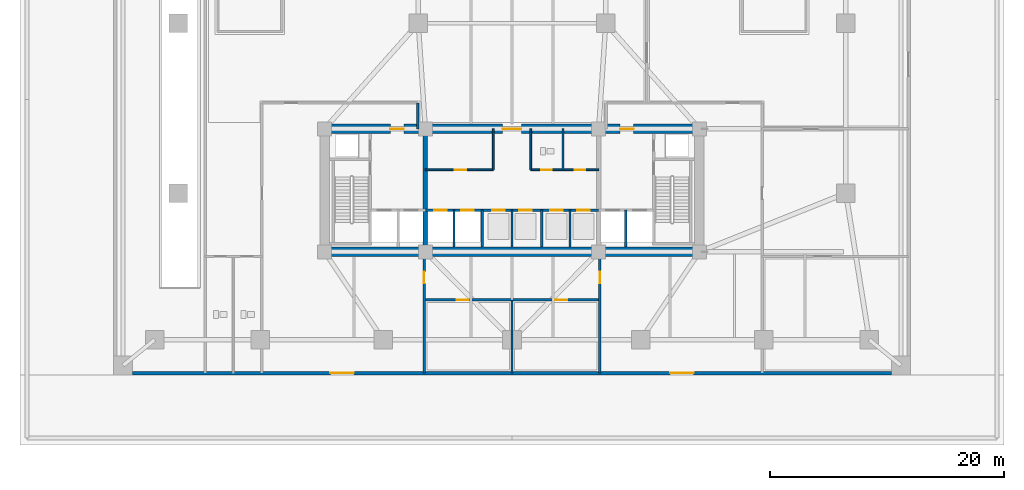
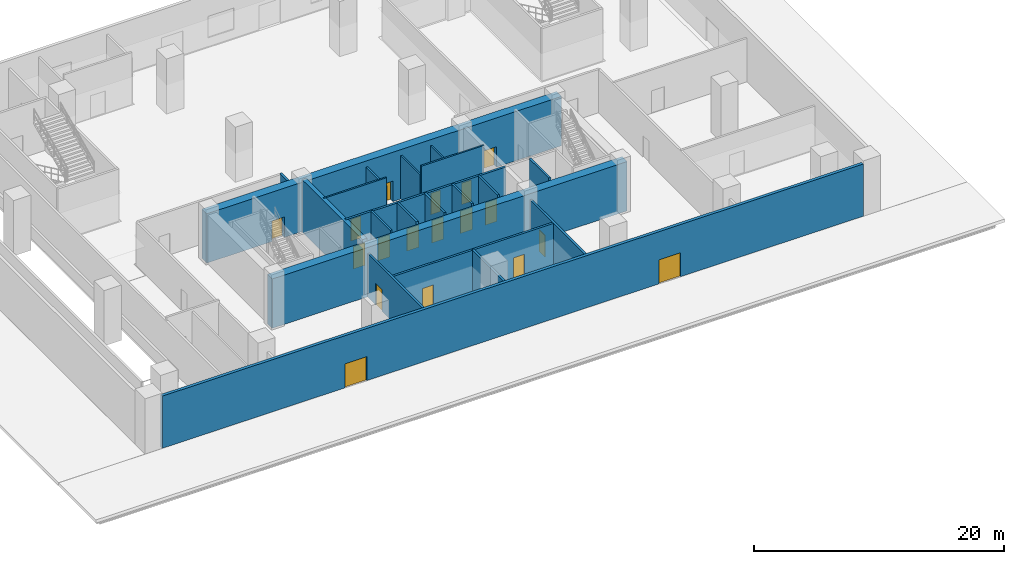
# One storey, part 5 of 15: 23 walls, 18 doors, 18 openings.
"""IFC4 building model written with IfcOpenShell, lengths in metres."""

from ifc_helpers import new_model, si_unit, direction, frame, frame_2d, origin, place, context, subcontext, project, spatial, rectangle, extrude, material, layer, layer_set, type_object, element, fill, save


model = new_model("IFC4")

# Units and contexts
model_context = context("Model", 3, precision=1e-05, world=origin(), true_north=direction((0.0, 1.0)))
body_context = subcontext(model_context, "Body", "Model", "MODEL_VIEW")
ifc_project = project(units=[si_unit("LENGTHUNIT", "METRE"), si_unit("AREAUNIT", "SQUARE_METRE"), si_unit("VOLUMEUNIT", "CUBIC_METRE"), si_unit("PLANEANGLEUNIT", "RADIAN"), si_unit("MASSUNIT", "GRAM", prefix="KILO")], contexts=[model_context])

# Site, building, storey
site_placement = place(None, origin())
site = spatial("IfcSite", under=ifc_project, at=site_placement, CompositionType="ELEMENT")
building_placement = place(site_placement, origin())
building = spatial("IfcBuilding", under=site, at=building_placement, Name="Solmavex Isthmus Hotel", CompositionType="ELEMENT")
storey_placement = place(building_placement, origin())
storey = spatial("IfcBuildingStorey", under=building, at=storey_placement, Name="L01", CompositionType="ELEMENT", Elevation=0.0)

# Wall, openings, doors
ifc_material_1 = material(Name="Precast Concrete C40/50", Category="concrete")
ifc_layer_1 = layer(ifc_material_1, 0.280029296875)
ifc_layer_set_1 = layer_set([ifc_layer_1], Name="Precast Concrete C40/50")
wall_type_1 = type_object("IfcWallType", Name="EW-POD-280", PredefinedType="STANDARD", material=ifc_layer_set_1)
wall_1_placement = place(storey_placement, frame((-32.39990234375, -23.360107421875, 0.0), z_axis=(0.0, 0.0, 1.0), x_axis=(1.0, 0.0, 0.0)))
wall_1 = element("IfcWall", 1, at=wall_1_placement, inside=storey, type_object=wall_type_1, Name="Podium Ground South Exterior Wall", PredefinedType="STANDARD", context=body_context, shape_type="SweptSolid", body=[
    extrude(rectangle(XDim=64.7998046875, YDim=0.280029296875, at=frame_2d((32.39990234375, 0.0))), origin(), (0.0, 0.0, 1.0), 5.10009765625),
])
opening_1_placement = place(wall_1_placement, frame((16.89990234375, 0.0, 0.0)))
opening_1 = element("IfcOpeningElement", 2, at=opening_1_placement, cuts=wall_1, Name="Opening ED-01", PredefinedType="OPENING", context=body_context, shape_type="SweptSolid", body=[
    extrude(rectangle(XDim=2.0, YDim=2.35009765625, at=frame_2d((1.0, 1.175048828125))), frame((0.0, 0.14990234375, 0.0), z_axis=(0.0, -1.0, 0.0), x_axis=(1.0, 0.0, 0.0)), (0.0, 0.0, 1.0), 0.300048828125),
])
opening_2_placement = place(wall_1_placement, frame((45.89990234375, 0.0, 0.0)))
opening_2 = element("IfcOpeningElement", 3, at=opening_2_placement, cuts=wall_1, Name="Opening ED-01", PredefinedType="OPENING", context=body_context, shape_type="SweptSolid", body=[
    extrude(rectangle(XDim=2.0, YDim=2.35009765625, at=frame_2d((1.0, 1.175048828125))), frame((0.0, 0.14990234375, 0.0), z_axis=(0.0, -1.0, 0.0), x_axis=(1.0, 0.0, 0.0)), (0.0, 0.0, 1.0), 0.300048828125),
])
ifc_material_2 = material(Name="Aluminium alloy 6063-T6", Category="aluminium")
door_type_1 = type_object("IfcDoorType", Name="EDR-EXIT-2000", OperationType="NOTDEFINED", PredefinedType="DOOR", material=ifc_material_2)
door_1_placement = place(opening_1_placement, frame((2.0, 0.0, 0.0), z_axis=(0.0, 0.0, 1.0), x_axis=(-1.0, 0.0, 0.0)))
door_1 = element("IfcDoor", 4, at=door_1_placement, inside=storey, type_object=door_type_1, Name="Ground Protected Exit Passage Exterior Door S1", OperationType="DOUBLE_DOOR_SINGLE_SWING", OverallHeight=2.35009765625, OverallWidth=2.0, PredefinedType="DOOR", context=body_context, shape_type="SweptSolid", body=[
    extrude(rectangle(XDim=2.0, YDim=2.35009765625, at=frame_2d((1.0, 1.175048828125))), frame((0.0, 0.02490234375, 0.0), z_axis=(0.0, -1.0, 0.0), x_axis=(1.0, 0.0, 0.0)), (0.0, 0.0, 1.0), 0.050048828125),
])
fill(opening_1, door_1)
door_2_placement = place(opening_2_placement, frame((2.0, 0.0, 0.0), z_axis=(0.0, 0.0, 1.0), x_axis=(-1.0, 0.0, 0.0)))
door_2 = element("IfcDoor", 5, at=door_2_placement, inside=storey, type_object=door_type_1, Name="Ground Protected Exit Passage Exterior Door S2", OperationType="DOUBLE_DOOR_SINGLE_SWING", OverallHeight=2.35009765625, OverallWidth=2.0, PredefinedType="DOOR", context=body_context, shape_type="SweptSolid", body=[
    extrude(rectangle(XDim=2.0, YDim=2.35009765625, at=frame_2d((1.0, 1.175048828125))), frame((0.0, 0.02490234375, 0.0), z_axis=(0.0, -1.0, 0.0), x_axis=(1.0, 0.0, 0.0)), (0.0, 0.0, 1.0), 0.050048828125),
])
fill(opening_2, door_2)

# Wall, opening, door
ifc_material_3 = material(Name="Gypsum plasterboard lining", Category="gypsum")
ifc_layer_2 = layer(ifc_material_3, 0.14990234375)
ifc_layer_set_2 = layer_set([ifc_layer_2], Name="Gypsum plasterboard lining")
wall_type_2 = type_object("IfcWallType", Name="IW-CORR-150", PredefinedType="PARTITIONING", material=ifc_layer_set_2)
wall_2_placement = place(storey_placement, frame((-7.39990234375, -6.0, 0.0), z_axis=(0.0, 0.0, 1.0), x_axis=(1.0, 0.0, 0.0)))
wall_2 = element("IfcWall", 6, at=wall_2_placement, inside=storey, type_object=wall_type_2, Name="Interior Partition Wall W-L01-BOH-WS", PredefinedType="PARTITIONING", context=body_context, shape_type="SweptSolid", body=[
    extrude(rectangle(XDim=5.7998046875, YDim=0.14990234375, at=frame_2d((2.89990234375, 0.0))), origin(), (0.0, 0.0, 1.0), 5.10009765625),
])
opening_3_placement = place(wall_2_placement, frame((2.52490234375, 0.0, 0.0)))
opening_3 = element("IfcOpeningElement", 7, at=opening_3_placement, cuts=wall_2, Name="Opening ID-C095", PredefinedType="OPENING", context=body_context, shape_type="SweptSolid", body=[
    extrude(rectangle(XDim=0.949951171875, YDim=2.14990234375, at=frame_2d((0.47509765625, 1.074951171875))), frame((0.0, 0.0849609375, 0.0), z_axis=(0.0, -1.0, 0.0), x_axis=(1.0, 0.0, 0.0)), (0.0, 0.0, 1.0), 0.169921875),
])
ifc_material_4 = material(Name="Hardwood timber", Category="wood")
door_type_2 = type_object("IfcDoorType", Name="IDR-FD60-0950", OperationType="NOTDEFINED", PredefinedType="DOOR", material=ifc_material_4)
door_3_placement = place(opening_3_placement, frame((0.949951171875, 0.0, 0.0), z_axis=(0.0, 0.0, 1.0), x_axis=(-1.0, 0.0, 0.0)))
door_3 = element("IfcDoor", 8, at=door_3_placement, inside=storey, type_object=door_type_2, Name="Housekeeping Room Door L01", OperationType="SINGLE_SWING_LEFT", OverallHeight=2.14990234375, OverallWidth=0.949951171875, PredefinedType="DOOR", context=body_context, shape_type="SweptSolid", body=[
    extrude(rectangle(XDim=0.949951171875, YDim=2.14990234375, at=frame_2d((0.47509765625, 1.074951171875))), frame((0.0, 0.02490234375, 0.0), z_axis=(0.0, -1.0, 0.0), x_axis=(1.0, 0.0, 0.0)), (0.0, 0.0, 1.0), 0.050048828125),
])
fill(opening_3, door_3)

# Wall
wall_3_placement = place(storey_placement, frame((-1.60009765625, -6.0, 0.0), z_axis=(0.0, 0.0, 1.0), x_axis=(0.0, 1.0, 0.0)))
element("IfcWall", 9, at=wall_3_placement, inside=storey, type_object=wall_type_2, Name="Interior Partition Wall W-L01-BOH-WE", PredefinedType="PARTITIONING", context=body_context, shape_type="SweptSolid", body=[
    extrude(rectangle(XDim=3.5, YDim=0.14990234375, at=frame_2d((1.75, 0.0))), origin(), (0.0, 0.0, 1.0), 4.2294921875),
])

# Wall, openings, doors
wall_4_placement = place(storey_placement, frame((1.60009765625, -6.0, 0.0), z_axis=(0.0, 0.0, 1.0), x_axis=(1.0, 0.0, 0.0)))
wall_4 = element("IfcWall", 10, at=wall_4_placement, inside=storey, type_object=wall_type_2, Name="Interior Partition Wall W-L01-BOH-ES", PredefinedType="PARTITIONING", context=body_context, shape_type="SweptSolid", body=[
    extrude(rectangle(XDim=5.7998046875, YDim=0.14990234375, at=frame_2d((2.89990234375, 0.0))), origin(), (0.0, 0.0, 1.0), 5.10009765625),
])
opening_4_placement = place(wall_4_placement, frame((0.89990234375, 0.0, 0.0)))
opening_4 = element("IfcOpeningElement", 11, at=opening_4_placement, cuts=wall_4, Name="Opening ID-C090", PredefinedType="OPENING", context=body_context, shape_type="SweptSolid", body=[
    extrude(rectangle(XDim=0.89990234375, YDim=2.10009765625, at=frame_2d((0.449951171875, 1.050048828125))), frame((0.0, 0.0849609375, 0.0), z_axis=(0.0, -1.0, 0.0), x_axis=(1.0, 0.0, 0.0)), (0.0, 0.0, 1.0), 0.169921875),
])
opening_5_placement = place(wall_4_placement, frame((3.75, 0.0, 0.0)))
opening_5 = element("IfcOpeningElement", 12, at=opening_5_placement, cuts=wall_4, Name="Opening ID-C090", PredefinedType="OPENING", context=body_context, shape_type="SweptSolid", body=[
    extrude(rectangle(XDim=0.89990234375, YDim=2.10009765625, at=frame_2d((0.449951171875, 1.050048828125))), frame((0.0, 0.0849609375, 0.0), z_axis=(0.0, -1.0, 0.0), x_axis=(1.0, 0.0, 0.0)), (0.0, 0.0, 1.0), 0.169921875),
])
door_type_3 = type_object("IfcDoorType", Name="IDR-FD60-0900", OperationType="NOTDEFINED", PredefinedType="DOOR", material=ifc_material_4)
door_4_placement = place(opening_4_placement, frame((0.89990234375, 0.0, 0.0), z_axis=(0.0, 0.0, 1.0), x_axis=(-1.0, 0.0, 0.0)))
door_4 = element("IfcDoor", 13, at=door_4_placement, inside=storey, type_object=door_type_3, Name="Staff WC Door L01", OperationType="SINGLE_SWING_RIGHT", OverallHeight=2.10009765625, OverallWidth=0.89990234375, PredefinedType="DOOR", context=body_context, shape_type="SweptSolid", body=[
    extrude(rectangle(XDim=0.89990234375, YDim=2.10009765625, at=frame_2d((0.449951171875, 1.050048828125))), frame((0.0, 0.02490234375, 0.0), z_axis=(0.0, -1.0, 0.0), x_axis=(1.0, 0.0, 0.0)), (0.0, 0.0, 1.0), 0.050048828125),
])
fill(opening_4, door_4)
door_5_placement = place(opening_5_placement, frame((0.89990234375, 0.0, 0.0), z_axis=(0.0, 0.0, 1.0), x_axis=(-1.0, 0.0, 0.0)))
door_5 = element("IfcDoor", 14, at=door_5_placement, inside=storey, type_object=door_type_3, Name="Pantry Door L01", OperationType="SINGLE_SWING_LEFT", OverallHeight=2.10009765625, OverallWidth=0.89990234375, PredefinedType="DOOR", context=body_context, shape_type="SweptSolid", body=[
    extrude(rectangle(XDim=0.89990234375, YDim=2.10009765625, at=frame_2d((0.449951171875, 1.050048828125))), frame((0.0, 0.02490234375, 0.0), z_axis=(0.0, -1.0, 0.0), x_axis=(1.0, 0.0, 0.0)), (0.0, 0.0, 1.0), 0.050048828125),
])
fill(opening_5, door_5)

# Walls
wall_5_placement = place(storey_placement, frame((1.60009765625, -6.0, 0.0), z_axis=(0.0, 0.0, 1.0), x_axis=(0.0, 1.0, 0.0)))
element("IfcWall", 15, at=wall_5_placement, inside=storey, type_object=wall_type_2, Name="Interior Partition Wall W-L01-BOH-EW", PredefinedType="PARTITIONING", context=body_context, shape_type="SweptSolid", body=[
    extrude(rectangle(XDim=3.5, YDim=0.14990234375, at=frame_2d((1.75, 0.0))), origin(), (0.0, 0.0, 1.0), 4.2294921875),
])
ifc_layer_3 = layer(ifc_material_3, 0.1201171875)
ifc_layer_set_3 = layer_set([ifc_layer_3], Name="Gypsum plasterboard lining")
wall_type_3 = type_object("IfcWallType", Name="IW-PART-120", PredefinedType="PARTITIONING", material=ifc_layer_set_3)
wall_6_placement = place(storey_placement, frame((4.35009765625, -6.0, 0.0), z_axis=(0.0, 0.0, 1.0), x_axis=(0.0, 1.0, 0.0)))
element("IfcWall", 16, at=wall_6_placement, inside=storey, type_object=wall_type_3, Name="Interior Partition Wall W-L01-BOH-EM0", PredefinedType="PARTITIONING", context=body_context, shape_type="SweptSolid", body=[
    extrude(rectangle(XDim=3.5, YDim=0.14990234375, at=frame_2d((1.75, 0.0))), origin(), (0.0, 0.0, 1.0), 4.2294921875),
])
ifc_material_5 = material(Name="Concrete C40/50", Category="concrete")
ifc_layer_4 = layer(ifc_material_5, 0.179931640625)
ifc_layer_set_4 = layer_set([ifc_layer_4], Name="Concrete C40/50")
wall_type_4 = type_object("IfcWallType", Name="IW-SHAFT-180", PredefinedType="PARTITIONING", material=ifc_layer_set_4)
for number, where, z_axis, x_axis, name in (
    (17, (-4.949951171875, -12.60009765625, 0.0), (0.0, 0.0, 1.0), (0.0, 1.0, 0.0), "Interior Partition Wall W-L01-SH-PLL-M"),
    (18, (0.0, -12.60009765625, 0.0), (0.0, 0.0, 1.0), (0.0, 1.0, 0.0), "Interior Partition Wall W-L01-SH-PLM-M"),
    (19, (4.949951171875, -12.60009765625, 0.0), (0.0, 0.0, 1.0), (0.0, 1.0, 0.0), "Interior Partition Wall W-L01-SH-PLH-M"),
):
    element("IfcWall", number, at=place(storey_placement, frame(where, z_axis=z_axis, x_axis=x_axis)), inside=storey, type_object=wall_type_4, Name=name, PredefinedType="PARTITIONING", context=body_context, shape_type="SweptSolid", body=[
        extrude(rectangle(XDim=3.150146484375, YDim=0.179931640625, at=frame_2d((1.5751953125, 0.0))), origin(), (0.0, 0.0, 1.0), 5.10009765625),
    ])
ifc_layer_5 = layer(ifc_material_5, 0.199951171875)
ifc_layer_set_5 = layer_set([ifc_layer_5], Name="Concrete C40/50")
wall_type_5 = type_object("IfcWallType", Name="IW-SHAFT-200", PredefinedType="PARTITIONING", material=ifc_layer_set_5)
wall_7_placement = place(storey_placement, frame((9.699951171875, -12.60009765625, 0.0), z_axis=(0.0, 0.0, 1.0), x_axis=(0.0, 1.0, 0.0)))
element("IfcWall", 20, at=wall_7_placement, inside=storey, type_object=wall_type_5, Name="Interior Partition Wall W-L01-FFLE-M", PredefinedType="PARTITIONING", context=body_context, shape_type="SweptSolid", body=[
    extrude(rectangle(XDim=3.150146484375, YDim=0.199951171875, at=frame_2d((1.5751953125, 0.0))), origin(), (0.0, 0.0, 1.0), 5.10009765625),
])

# Wall, openings, doors
wall_8_placement = place(storey_placement, frame((-7.39990234375, -9.449951171875, 0.0), z_axis=(0.0, 0.0, 1.0), x_axis=(1.0, 0.0, 0.0)))
wall_8 = element("IfcWall", 21, at=wall_8_placement, inside=storey, type_object=wall_type_5, Name="Interior Partition Wall W-L01-SH-PLL", PredefinedType="PARTITIONING", context=body_context, shape_type="SweptSolid", body=[
    extrude(rectangle(XDim=4.849853515625, YDim=0.199951171875, at=frame_2d((2.4248046875, 0.0))), origin(), (0.0, 0.0, 1.0), 5.10009765625),
])
opening_6_placement = place(wall_8_placement, frame((0.75, 0.0, 0.0)))
opening_6 = element("IfcOpeningElement", 22, at=opening_6_placement, cuts=wall_8, Name="Opening LD-PL", PredefinedType="OPENING", context=body_context, shape_type="SweptSolid", body=[
    extrude(rectangle(XDim=1.10009765625, YDim=2.199951171875, at=frame_2d((0.550048828125, 1.10009765625))), frame((0.0, 0.10986328125, 0.0), z_axis=(0.0, -1.0, 0.0), x_axis=(1.0, 0.0, 0.0)), (0.0, 0.0, 1.0), 0.219970703125),
])
opening_7_placement = place(wall_8_placement, frame((3.050048828125, 0.0, 0.0)))
opening_7 = element("IfcOpeningElement", 23, at=opening_7_placement, cuts=wall_8, Name="Opening LD-PL", PredefinedType="OPENING", context=body_context, shape_type="SweptSolid", body=[
    extrude(rectangle(XDim=1.10009765625, YDim=2.199951171875, at=frame_2d((0.550048828125, 1.10009765625))), frame((0.0, 0.10986328125, 0.0), z_axis=(0.0, -1.0, 0.0), x_axis=(1.0, 0.0, 0.0)), (0.0, 0.0, 1.0), 0.219970703125),
])
ifc_material_6 = material(Name="Stainless steel 316", Category="steel")
door_type_4 = type_object("IfcDoorType", Name="LDR-PL-1100", OperationType="NOTDEFINED", PredefinedType="DOOR", material=ifc_material_6)
door_6_placement = place(opening_6_placement, origin())
door_6 = element("IfcDoor", 24, at=door_6_placement, inside=storey, type_object=door_type_4, Name="Lift Landing Door PLL1 L01", OperationType="SLIDING_TO_LEFT", OverallHeight=2.199951171875, OverallWidth=1.10009765625, PredefinedType="DOOR", context=body_context, shape_type="SweptSolid", body=[
    extrude(rectangle(XDim=1.10009765625, YDim=2.199951171875, at=frame_2d((0.550048828125, 1.10009765625))), frame((0.0, 0.02490234375, 0.0), z_axis=(0.0, -1.0, 0.0), x_axis=(1.0, 0.0, 0.0)), (0.0, 0.0, 1.0), 0.050048828125),
])
fill(opening_6, door_6)
door_7_placement = place(opening_7_placement, origin())
door_7 = element("IfcDoor", 25, at=door_7_placement, inside=storey, type_object=door_type_4, Name="Lift Landing Door PLL2 L01", OperationType="SLIDING_TO_LEFT", OverallHeight=2.199951171875, OverallWidth=1.10009765625, PredefinedType="DOOR", context=body_context, shape_type="SweptSolid", body=[
    extrude(rectangle(XDim=1.10009765625, YDim=2.199951171875, at=frame_2d((0.550048828125, 1.10009765625))), frame((0.0, 0.02490234375, 0.0), z_axis=(0.0, -1.0, 0.0), x_axis=(1.0, 0.0, 0.0)), (0.0, 0.0, 1.0), 0.050048828125),
])
fill(opening_7, door_7)

# Wall
wall_9_placement = place(storey_placement, frame((-2.550048828125, -12.60009765625, 0.0), z_axis=(0.0, 0.0, 1.0), x_axis=(0.0, 1.0, 0.0)))
element("IfcWall", 26, at=wall_9_placement, inside=storey, type_object=wall_type_5, Name="Interior Partition Wall W-L01-SH-PLL-E", PredefinedType="PARTITIONING", context=body_context, shape_type="SweptSolid", body=[
    extrude(rectangle(XDim=3.150146484375, YDim=0.199951171875, at=frame_2d((1.5751953125, 0.0))), origin(), (0.0, 0.0, 1.0), 5.10009765625),
])

# Wall, openings, doors
wall_10_placement = place(storey_placement, frame((-2.550048828125, -9.449951171875, 0.0), z_axis=(0.0, 0.0, 1.0), x_axis=(1.0, 0.0, 0.0)))
wall_10 = element("IfcWall", 27, at=wall_10_placement, inside=storey, type_object=wall_type_5, Name="Interior Partition Wall W-L01-SH-PLM", PredefinedType="PARTITIONING", context=body_context, shape_type="SweptSolid", body=[
    extrude(rectangle(XDim=5.10009765625, YDim=0.199951171875, at=frame_2d((2.550048828125, 0.0))), origin(), (0.0, 0.0, 1.0), 5.10009765625),
])
opening_8_placement = place(wall_10_placement, frame((0.85009765625, 0.0, 0.0)))
opening_8 = element("IfcOpeningElement", 28, at=opening_8_placement, cuts=wall_10, Name="Opening LD-PL", PredefinedType="OPENING", context=body_context, shape_type="SweptSolid", body=[
    extrude(rectangle(XDim=1.10009765625, YDim=2.199951171875, at=frame_2d((0.550048828125, 1.10009765625))), frame((0.0, 0.10986328125, 0.0), z_axis=(0.0, -1.0, 0.0), x_axis=(1.0, 0.0, 0.0)), (0.0, 0.0, 1.0), 0.219970703125),
])
opening_9_placement = place(wall_10_placement, frame((3.14990234375, 0.0, 0.0)))
opening_9 = element("IfcOpeningElement", 29, at=opening_9_placement, cuts=wall_10, Name="Opening LD-PL", PredefinedType="OPENING", context=body_context, shape_type="SweptSolid", body=[
    extrude(rectangle(XDim=1.10009765625, YDim=2.199951171875, at=frame_2d((0.550048828125, 1.10009765625))), frame((0.0, 0.10986328125, 0.0), z_axis=(0.0, -1.0, 0.0), x_axis=(1.0, 0.0, 0.0)), (0.0, 0.0, 1.0), 0.219970703125),
])
door_8_placement = place(opening_8_placement, origin())
door_8 = element("IfcDoor", 30, at=door_8_placement, inside=storey, type_object=door_type_4, Name="Lift Landing Door PLM1 L01", OperationType="SLIDING_TO_RIGHT", OverallHeight=2.199951171875, OverallWidth=1.10009765625, PredefinedType="DOOR", context=body_context, shape_type="SweptSolid", body=[
    extrude(rectangle(XDim=1.10009765625, YDim=2.199951171875, at=frame_2d((0.550048828125, 1.10009765625))), frame((0.0, 0.02490234375, 0.0), z_axis=(0.0, -1.0, 0.0), x_axis=(1.0, 0.0, 0.0)), (0.0, 0.0, 1.0), 0.050048828125),
])
fill(opening_8, door_8)
door_9_placement = place(opening_9_placement, origin())
door_9 = element("IfcDoor", 31, at=door_9_placement, inside=storey, type_object=door_type_4, Name="Lift Landing Door PLM2 L01", OperationType="SLIDING_TO_RIGHT", OverallHeight=2.199951171875, OverallWidth=1.10009765625, PredefinedType="DOOR", context=body_context, shape_type="SweptSolid", body=[
    extrude(rectangle(XDim=1.10009765625, YDim=2.199951171875, at=frame_2d((0.550048828125, 1.10009765625))), frame((0.0, 0.02490234375, 0.0), z_axis=(0.0, -1.0, 0.0), x_axis=(1.0, 0.0, 0.0)), (0.0, 0.0, 1.0), 0.050048828125),
])
fill(opening_9, door_9)

# Wall
wall_11_placement = place(storey_placement, frame((2.550048828125, -12.60009765625, 0.0), z_axis=(0.0, 0.0, 1.0), x_axis=(0.0, 1.0, 0.0)))
element("IfcWall", 32, at=wall_11_placement, inside=storey, type_object=wall_type_5, Name="Interior Partition Wall W-L01-SH-PLM-E", PredefinedType="PARTITIONING", context=body_context, shape_type="SweptSolid", body=[
    extrude(rectangle(XDim=3.150146484375, YDim=0.199951171875, at=frame_2d((1.5751953125, 0.0))), origin(), (0.0, 0.0, 1.0), 5.10009765625),
])

# Wall, openings, doors
wall_12_placement = place(storey_placement, frame((2.550048828125, -9.449951171875, 0.0), z_axis=(0.0, 0.0, 1.0), x_axis=(1.0, 0.0, 0.0)))
wall_12 = element("IfcWall", 33, at=wall_12_placement, inside=storey, type_object=wall_type_5, Name="Interior Partition Wall W-L01-SH-PLH", PredefinedType="PARTITIONING", context=body_context, shape_type="SweptSolid", body=[
    extrude(rectangle(XDim=4.849853515625, YDim=0.199951171875, at=frame_2d((2.4248046875, 0.0))), origin(), (0.0, 0.0, 1.0), 5.10009765625),
])
opening_10_placement = place(wall_12_placement, frame((0.699951171875, 0.0, 0.0)))
opening_10 = element("IfcOpeningElement", 34, at=opening_10_placement, cuts=wall_12, Name="Opening LD-PL", PredefinedType="OPENING", context=body_context, shape_type="SweptSolid", body=[
    extrude(rectangle(XDim=1.10009765625, YDim=2.199951171875, at=frame_2d((0.550048828125, 1.10009765625))), frame((0.0, 0.10986328125, 0.0), z_axis=(0.0, -1.0, 0.0), x_axis=(1.0, 0.0, 0.0)), (0.0, 0.0, 1.0), 0.219970703125),
])
opening_11_placement = place(wall_12_placement, frame((3.0, 0.0, 0.0)))
opening_11 = element("IfcOpeningElement", 35, at=opening_11_placement, cuts=wall_12, Name="Opening LD-PL", PredefinedType="OPENING", context=body_context, shape_type="SweptSolid", body=[
    extrude(rectangle(XDim=1.10009765625, YDim=2.199951171875, at=frame_2d((0.550048828125, 1.10009765625))), frame((0.0, 0.10986328125, 0.0), z_axis=(0.0, -1.0, 0.0), x_axis=(1.0, 0.0, 0.0)), (0.0, 0.0, 1.0), 0.219970703125),
])
door_10_placement = place(opening_10_placement, origin())
door_10 = element("IfcDoor", 36, at=door_10_placement, inside=storey, type_object=door_type_4, Name="Lift Landing Door PLH1 L01", OperationType="SLIDING_TO_LEFT", OverallHeight=2.199951171875, OverallWidth=1.10009765625, PredefinedType="DOOR", context=body_context, shape_type="SweptSolid", body=[
    extrude(rectangle(XDim=1.10009765625, YDim=2.199951171875, at=frame_2d((0.550048828125, 1.10009765625))), frame((0.0, 0.02490234375, 0.0), z_axis=(0.0, -1.0, 0.0), x_axis=(1.0, 0.0, 0.0)), (0.0, 0.0, 1.0), 0.050048828125),
])
fill(opening_10, door_10)
door_11_placement = place(opening_11_placement, origin())
door_11 = element("IfcDoor", 37, at=door_11_placement, inside=storey, type_object=door_type_4, Name="Lift Landing Door PLH2 L01", OperationType="SLIDING_TO_LEFT", OverallHeight=2.199951171875, OverallWidth=1.10009765625, PredefinedType="DOOR", context=body_context, shape_type="SweptSolid", body=[
    extrude(rectangle(XDim=1.10009765625, YDim=2.199951171875, at=frame_2d((0.550048828125, 1.10009765625))), frame((0.0, 0.02490234375, 0.0), z_axis=(0.0, -1.0, 0.0), x_axis=(1.0, 0.0, 0.0)), (0.0, 0.0, 1.0), 0.050048828125),
])
fill(opening_11, door_11)

# Wall
wall_13_placement = place(storey_placement, frame((-8.050048828125, -2.5, 0.0), z_axis=(0.0, 0.0, 1.0), x_axis=(0.0, 1.0, 0.0)))
element("IfcWall", 38, at=wall_13_placement, inside=storey, type_object=wall_type_5, Name="Interior Partition Wall W-L01-EXPW-NE", PredefinedType="PARTITIONING", context=body_context, shape_type="SweptSolid", body=[
    extrude(rectangle(XDim=2.199951171875, YDim=0.199951171875, at=frame_2d((1.10009765625, 0.0))), origin(), (0.0, 0.0, 1.0), 4.311767578125),
])

# Wall, opening, door
wall_14_placement = place(storey_placement, frame((-7.5, -23.360107421875, 0.0), z_axis=(0.0, 0.0, 1.0), x_axis=(0.0, 1.0, 0.0)))
wall_14 = element("IfcWall", 39, at=wall_14_placement, inside=storey, type_object=wall_type_5, Name="Interior Partition Wall W-L01-EXPW-E", PredefinedType="PARTITIONING", context=body_context, shape_type="SweptSolid", body=[
    extrude(rectangle(XDim=10.010009765625, YDim=0.199951171875, at=frame_2d((5.0048828125, 0.0))), origin(), (0.0, 0.0, 1.0), 4.2294921875),
])
opening_12_placement = place(wall_14_placement, frame((7.659912109375, 0.0, 0.0)))
opening_12 = element("IfcOpeningElement", 40, at=opening_12_placement, cuts=wall_14, Name="Opening ID-F100", PredefinedType="OPENING", context=body_context, shape_type="SweptSolid", body=[
    extrude(rectangle(XDim=1.0, YDim=2.10009765625, at=frame_2d((0.5, 1.050048828125))), frame((0.0, 0.10986328125, 0.0), z_axis=(0.0, -1.0, 0.0), x_axis=(1.0, 0.0, 0.0)), (0.0, 0.0, 1.0), 0.219970703125),
])
ifc_material_7 = material(Name="Steel ASTM A500 Grade C", Category="steel")
door_type_5 = type_object("IfcDoorType", Name="IDR-FD90-1000", OperationType="NOTDEFINED", PredefinedType="DOOR", material=ifc_material_7)
door_12_placement = place(opening_12_placement, origin())
door_12 = element("IfcDoor", 41, at=door_12_placement, inside=storey, type_object=door_type_5, Name="Service Corridor West Exit Door", OperationType="SINGLE_SWING_RIGHT", OverallHeight=2.10009765625, OverallWidth=1.0, PredefinedType="DOOR", context=body_context, shape_type="SweptSolid", body=[
    extrude(rectangle(XDim=1.0, YDim=2.10009765625, at=frame_2d((0.5, 1.050048828125))), frame((0.0, 0.02490234375, 0.0), z_axis=(0.0, -1.0, 0.0), x_axis=(1.0, 0.0, 0.0)), (0.0, 0.0, 1.0), 0.050048828125),
])
fill(opening_12, door_12)

wall_15_placement = place(storey_placement, frame((7.5, -23.360107421875, 0.0), z_axis=(0.0, 0.0, 1.0), x_axis=(0.0, 1.0, 0.0)))
wall_15 = element("IfcWall", 42, at=wall_15_placement, inside=storey, type_object=wall_type_5, Name="Interior Partition Wall W-L01-EXPE-W", PredefinedType="PARTITIONING", context=body_context, shape_type="SweptSolid", body=[
    extrude(rectangle(XDim=10.010009765625, YDim=0.199951171875, at=frame_2d((5.0048828125, 0.0))), origin(), (0.0, 0.0, 1.0), 4.2294921875),
])
opening_13_placement = place(wall_15_placement, frame((7.659912109375, 0.0, 0.0)))
opening_13 = element("IfcOpeningElement", 43, at=opening_13_placement, cuts=wall_15, Name="Opening ID-F100", PredefinedType="OPENING", context=body_context, shape_type="SweptSolid", body=[
    extrude(rectangle(XDim=1.0, YDim=2.10009765625, at=frame_2d((0.5, 1.050048828125))), frame((0.0, 0.10986328125, 0.0), z_axis=(0.0, -1.0, 0.0), x_axis=(1.0, 0.0, 0.0)), (0.0, 0.0, 1.0), 0.219970703125),
])
door_13_placement = place(opening_13_placement, frame((1.0, 0.0, 0.0), z_axis=(0.0, 0.0, 1.0), x_axis=(-1.0, 0.0, 0.0)))
door_13 = element("IfcDoor", 44, at=door_13_placement, inside=storey, type_object=door_type_5, Name="Service Corridor East Exit Door", OperationType="SINGLE_SWING_LEFT", OverallHeight=2.10009765625, OverallWidth=1.0, PredefinedType="DOOR", context=body_context, shape_type="SweptSolid", body=[
    extrude(rectangle(XDim=1.0, YDim=2.10009765625, at=frame_2d((0.5, 1.050048828125))), frame((0.0, 0.02490234375, 0.0), z_axis=(0.0, -1.0, 0.0), x_axis=(1.0, 0.0, 0.0)), (0.0, 0.0, 1.0), 0.050048828125),
])
fill(opening_13, door_13)

# Wall, openings, doors
wall_16_placement = place(storey_placement, frame((-7.5, -17.10009765625, 0.0), z_axis=(0.0, 0.0, 1.0), x_axis=(1.0, 0.0, 0.0)))
wall_16 = element("IfcWall", 45, at=wall_16_placement, inside=storey, type_object=wall_type_5, Name="Interior Partition Wall W-L01-FCR-N", PredefinedType="PARTITIONING", context=body_context, shape_type="SweptSolid", body=[
    extrude(rectangle(XDim=15.0, YDim=0.199951171875, at=frame_2d((7.5, 0.0))), origin(), (0.0, 0.0, 1.0), 4.2294921875),
])
opening_14_placement = place(wall_16_placement, frame((2.800048828125, 0.0, 0.0)))
opening_14 = element("IfcOpeningElement", 46, at=opening_14_placement, cuts=wall_16, Name="Opening ID-F100", PredefinedType="OPENING", context=body_context, shape_type="SweptSolid", body=[
    extrude(rectangle(XDim=1.0, YDim=2.10009765625, at=frame_2d((0.5, 1.050048828125))), frame((0.0, 0.10986328125, 0.0), z_axis=(0.0, -1.0, 0.0), x_axis=(1.0, 0.0, 0.0)), (0.0, 0.0, 1.0), 0.219970703125),
])
opening_15_placement = place(wall_16_placement, frame((11.199951171875, 0.0, 0.0)))
opening_15 = element("IfcOpeningElement", 47, at=opening_15_placement, cuts=wall_16, Name="Opening ID-C100", PredefinedType="OPENING", context=body_context, shape_type="SweptSolid", body=[
    extrude(rectangle(XDim=1.0, YDim=2.14990234375, at=frame_2d((0.5, 1.074951171875))), frame((0.0, 0.10986328125, 0.0), z_axis=(0.0, -1.0, 0.0), x_axis=(1.0, 0.0, 0.0)), (0.0, 0.0, 1.0), 0.219970703125),
])
door_type_6 = type_object("IfcDoorType", Name="IDR-FD60-1000", OperationType="NOTDEFINED", PredefinedType="DOOR", material=ifc_material_4)
door_14_placement = place(opening_15_placement, origin())
door_14 = element("IfcDoor", 48, at=door_14_placement, inside=storey, type_object=door_type_6, Name="Security Office Door", OperationType="SINGLE_SWING_RIGHT", OverallHeight=2.14990234375, OverallWidth=1.0, PredefinedType="DOOR", context=body_context, shape_type="SweptSolid", body=[
    extrude(rectangle(XDim=1.0, YDim=2.14990234375, at=frame_2d((0.5, 1.074951171875))), frame((0.0, 0.02490234375, 0.0), z_axis=(0.0, -1.0, 0.0), x_axis=(1.0, 0.0, 0.0)), (0.0, 0.0, 1.0), 0.050048828125),
])
fill(opening_15, door_14)
door_15_placement = place(opening_14_placement, origin())
door_15 = element("IfcDoor", 49, at=door_15_placement, inside=storey, type_object=door_type_5, Name="Fire Command Room Door", OperationType="SINGLE_SWING_LEFT", OverallHeight=2.10009765625, OverallWidth=1.0, PredefinedType="DOOR", context=body_context, shape_type="SweptSolid", body=[
    extrude(rectangle(XDim=1.0, YDim=2.10009765625, at=frame_2d((0.5, 1.050048828125))), frame((0.0, 0.02490234375, 0.0), z_axis=(0.0, -1.0, 0.0), x_axis=(1.0, 0.0, 0.0)), (0.0, 0.0, 1.0), 0.050048828125),
])
fill(opening_14, door_15)

# Walls
wall_17_placement = place(storey_placement, frame((0.0, -23.360107421875, 0.0), z_axis=(0.0, 0.0, 1.0), x_axis=(0.0, 1.0, 0.0)))
element("IfcWall", 50, at=wall_17_placement, inside=storey, type_object=wall_type_5, Name="Interior Partition Wall W-L01-FCR-M", PredefinedType="PARTITIONING", context=body_context, shape_type="SweptSolid", body=[
    extrude(rectangle(XDim=6.260009765625, YDim=0.199951171875, at=frame_2d((3.1298828125, 0.0))), origin(), (0.0, 0.0, 1.0), 4.2294921875),
])
ifc_material_8 = material(Name="Concrete C70/85", Category="concrete")
ifc_layer_6 = layer(ifc_material_8, 0.39990234375)
ifc_layer_set_6 = layer_set([ifc_layer_6], Name="Concrete C70/85")
wall_type_6 = type_object("IfcWallType", Name="WALL-CW-400L", PredefinedType="SHEAR", material=ifc_layer_set_6)
wall_18_placement = place(storey_placement, frame((-7.39990234375, -12.60009765625, 0.0), z_axis=(0.0, 0.0, 1.0), x_axis=(0.0, 1.0, 0.0)))
element("IfcWall", 51, at=wall_18_placement, inside=storey, type_object=wall_type_6, Name="Core Cross Shear Wall C1 L01", PredefinedType="SHEAR", context=body_context, shape_type="SweptSolid", body=[
    extrude(rectangle(XDim=9.7001953125, YDim=0.39990234375, at=frame_2d((4.85009765625, 0.0))), origin(), (0.0, 0.0, 1.0), 5.10009765625),
])
ifc_layer_7 = layer(ifc_material_8, 0.800048828125)
ifc_layer_set_7 = layer_set([ifc_layer_7], Name="Concrete C70/85")
wall_type_7 = type_object("IfcWallType", Name="WALL-CW-800", PredefinedType="SHEAR", material=ifc_layer_set_7)
wall_19_placement = place(storey_placement, frame((-16.39990234375, -13.0, 0.0), z_axis=(0.0, 0.0, 1.0), x_axis=(1.0, 0.0, 0.0)))
element("IfcWall", 52, at=wall_19_placement, inside=storey, type_object=wall_type_7, Name="Core Shear Wall South L01", PredefinedType="SHEAR", context=body_context, shape_type="SweptSolid", body=[
    extrude(rectangle(XDim=32.7998046875, YDim=0.800048828125, at=frame_2d((16.39990234375, 0.0))), origin(), (0.0, 0.0, 1.0), 4.820068359375),
])

# Wall, openings, doors
wall_20_placement = place(storey_placement, frame((-16.39990234375, -2.5, 0.0), z_axis=(0.0, 0.0, 1.0), x_axis=(1.0, 0.0, 0.0)))
wall_20 = element("IfcWall", 53, at=wall_20_placement, inside=storey, type_object=wall_type_7, Name="Core Shear Wall North L01", PredefinedType="SHEAR", context=body_context, shape_type="SweptSolid", body=[
    extrude(rectangle(XDim=32.7998046875, YDim=0.800048828125, at=frame_2d((16.39990234375, 0.0))), origin(), (0.0, 0.0, 1.0), 4.820068359375),
])
opening_16_placement = place(wall_20_placement, frame((6.02490234375, 0.0, 0.0)))
opening_16 = element("IfcOpeningElement", 54, at=opening_16_placement, cuts=wall_20, Name="Opening ID-F915", PredefinedType="OPENING", context=body_context, shape_type="SweptSolid", body=[
    extrude(rectangle(XDim=1.14990234375, YDim=2.0, at=frame_2d((0.574951171875, 1.0))), frame((0.0, 0.409912109375, 0.0), z_axis=(0.0, -1.0, 0.0), x_axis=(1.0, 0.0, 0.0)), (0.0, 0.0, 1.0), 0.820068359375),
])
opening_17_placement = place(wall_20_placement, frame((15.60009765625, 0.0, 0.0)))
opening_17 = element("IfcOpeningElement", 55, at=opening_17_placement, cuts=wall_20, Name="Opening ID-F960", PredefinedType="OPENING", context=body_context, shape_type="SweptSolid", body=[
    extrude(rectangle(XDim=1.60009765625, YDim=2.0, at=frame_2d((0.800048828125, 1.0))), frame((0.0, 0.409912109375, 0.0), z_axis=(0.0, -1.0, 0.0), x_axis=(1.0, 0.0, 0.0)), (0.0, 0.0, 1.0), 0.820068359375),
])
opening_18_placement = place(wall_20_placement, frame((25.625, 0.0, 0.0)))
opening_18 = element("IfcOpeningElement", 56, at=opening_18_placement, cuts=wall_20, Name="Opening ID-F915", PredefinedType="OPENING", context=body_context, shape_type="SweptSolid", body=[
    extrude(rectangle(XDim=1.14990234375, YDim=2.0, at=frame_2d((0.574951171875, 1.0))), frame((0.0, 0.409912109375, 0.0), z_axis=(0.0, -1.0, 0.0), x_axis=(1.0, 0.0, 0.0)), (0.0, 0.0, 1.0), 0.820068359375),
])
door_type_7 = type_object("IfcDoorType", Name="IDR-FD90-1150C", OperationType="NOTDEFINED", PredefinedType="DOOR", material=ifc_material_7)
door_16_placement = place(opening_16_placement, origin())
door_16 = element("IfcDoor", 57, at=door_16_placement, inside=storey, type_object=door_type_7, Name="Firefighting Lobby West Exit Door L01", OperationType="SINGLE_SWING_LEFT", OverallHeight=2.0, OverallWidth=1.14990234375, PredefinedType="DOOR", context=body_context, shape_type="SweptSolid", body=[
    extrude(rectangle(XDim=1.14990234375, YDim=2.0, at=frame_2d((0.574951171875, 1.0))), frame((0.0, 0.02490234375, 0.0), z_axis=(0.0, -1.0, 0.0), x_axis=(1.0, 0.0, 0.0)), (0.0, 0.0, 1.0), 0.050048828125),
])
fill(opening_16, door_16)
door_17_placement = place(opening_18_placement, origin())
door_17 = element("IfcDoor", 58, at=door_17_placement, inside=storey, type_object=door_type_7, Name="Firefighting Lobby East Exit Door L01", OperationType="SINGLE_SWING_RIGHT", OverallHeight=2.0, OverallWidth=1.14990234375, PredefinedType="DOOR", context=body_context, shape_type="SweptSolid", body=[
    extrude(rectangle(XDim=1.14990234375, YDim=2.0, at=frame_2d((0.574951171875, 1.0))), frame((0.0, 0.02490234375, 0.0), z_axis=(0.0, -1.0, 0.0), x_axis=(1.0, 0.0, 0.0)), (0.0, 0.0, 1.0), 0.050048828125),
])
fill(opening_18, door_17)
door_type_8 = type_object("IfcDoorType", Name="IDR-FD90-1600C", OperationType="NOTDEFINED", PredefinedType="DOOR", material=ifc_material_7)
door_18_placement = place(opening_17_placement, origin())
door_18 = element("IfcDoor", 59, at=door_18_placement, inside=storey, type_object=door_type_8, Name="Central Lift Lobby Door L01", OperationType="DOUBLE_DOOR_SINGLE_SWING", OverallHeight=2.0, OverallWidth=1.60009765625, PredefinedType="DOOR", context=body_context, shape_type="SweptSolid", body=[
    extrude(rectangle(XDim=1.60009765625, YDim=2.0, at=frame_2d((0.800048828125, 1.0))), frame((0.0, 0.02490234375, 0.0), z_axis=(0.0, -1.0, 0.0), x_axis=(1.0, 0.0, 0.0)), (0.0, 0.0, 1.0), 0.050048828125),
])
fill(opening_17, door_18)

save(model, "model.ifc")
